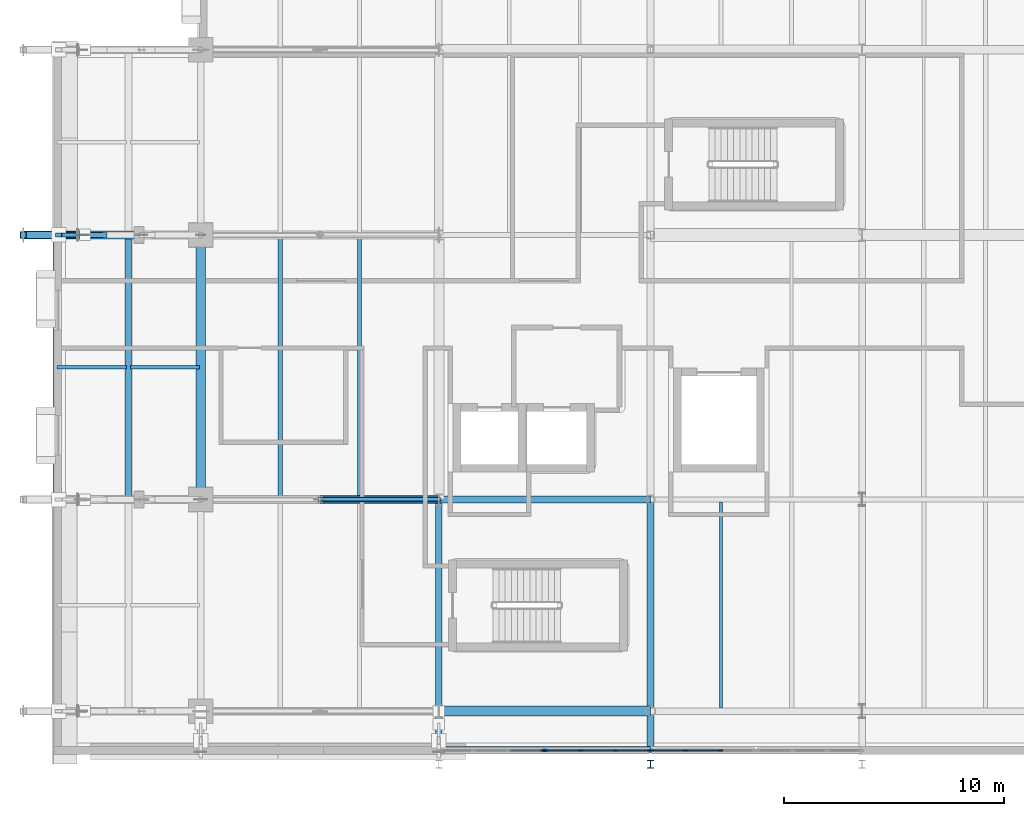
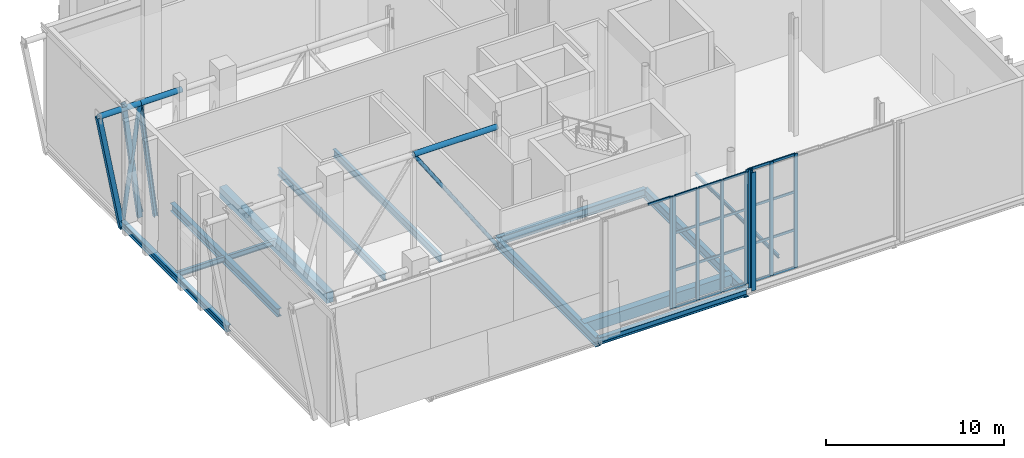
# One storey, part 19 of 79: 39 members, 13 beams, 3 elements without a shape of their own.
"""IFC4 building model written with IfcOpenShell, lengths in metres."""

from ifc_helpers import new_model, si_unit, direction, frame, origin, origin_2d, place, context, subcontext, project, spatial, rectangle, hollow_rectangle, hollow_circle, i_section, extrude, material, layer, layer_set, material_profile, profile_set, type_object, element, aggregate, save


model = new_model("IFC4")

# Units and contexts
model_context = context("Model", 3, precision=1e-05, world=origin(), true_north=direction((0.0, 1.0)))
body_context = subcontext(model_context, "Body", "Model", "MODEL_VIEW")
ifc_project = project(units=[si_unit("LENGTHUNIT", "METRE"), si_unit("AREAUNIT", "SQUARE_METRE"), si_unit("VOLUMEUNIT", "CUBIC_METRE"), si_unit("PLANEANGLEUNIT", "RADIAN"), si_unit("MASSUNIT", "GRAM", prefix="KILO")], contexts=[model_context])

# Site, building, storey
site_placement = place(None, origin())
site = spatial("IfcSite", under=ifc_project, at=site_placement, CompositionType="ELEMENT")
building_placement = place(site_placement, origin())
building = spatial("IfcBuilding", under=site, at=building_placement, Name="Zereglee Splitstone Museum", CompositionType="ELEMENT")
storey_placement = place(building_placement, frame((0.0, 0.0, 9.0)))
storey = spatial("IfcBuildingStorey", under=building, at=storey_placement, Name="L02", CompositionType="ELEMENT", Elevation=9.0)

# Members
ifc_material_1 = material(Name="Steel S355J2H", Category="steel")
ifc_material_profile_1 = material_profile(ifc_material_1, hollow_circle(Radius=0.122314453125, WallThickness=0.012451171875, at=origin_2d()), Name="CHS 244.5x12.5")
ifc_profile_set_1 = profile_set([ifc_material_profile_1], Name="Steel S355J2H")
member_type_1 = type_object("IfcMemberType", Name="TB-02", PredefinedType="BRACE", material=ifc_profile_set_1)
member_1_placement = place(storey_placement, frame((20.39990234375, 9.60009765625, -0.89990234375), z_axis=(-0.554700196225, 0.0, 0.832050294338), x_axis=(0.0, -1.0, 0.0)))
element("IfcMember", 1, at=member_1_placement, inside=storey, type_object=member_type_1, Name="Cantilever Truss CT-02 Web Brace L02-5", PredefinedType="BRACE", context=body_context, shape_type="SweptSolid", body=[
    extrude(hollow_circle(Radius=0.122314453125, WallThickness=0.012451171875, at=origin_2d()), origin(), (0.0, 0.0, 1.0), 9.73486328125),
])
ifc_material_profile_2 = material_profile(ifc_material_1, hollow_circle(Radius=0.136474609375, WallThickness=0.012451171875, at=origin_2d()), Name="CHS 273.0x12.5")
ifc_profile_set_2 = profile_set([ifc_material_profile_2], Name="Steel S355J2H")
member_type_2 = type_object("IfcMemberType", Name="TB-01", PredefinedType="BRACE", material=ifc_profile_set_2)
member_2_placement = place(storey_placement, frame((3.050048828125, 21.60009765625, -0.89990234375), z_axis=(0.144560595225, 0.0, 0.989495949617), x_axis=(0.0, 1.0, 0.0)))
element("IfcMember", 2, at=member_2_placement, inside=storey, type_object=member_type_2, Name="Cantilever Truss CT-03 Web Brace L02-1", PredefinedType="BRACE", context=body_context, shape_type="SweptSolid", body=[
    extrude(hollow_circle(Radius=0.136474609375, WallThickness=0.012451171875, at=origin_2d()), origin(), (0.0, 0.0, 1.0), 8.185791015625),
])

# Curtain wall, member
ifc_material_2 = material(Name="Triple-glazed low-E argon glass and bronze-anodised aluminium", Category="aluminium")
ifc_layer_1 = layer(ifc_material_2, 0.219970703125)
ifc_layer_set_1 = layer_set([ifc_layer_1], Name="Triple-glazed low-E argon glass and bronze-anodised aluminium")
curtain_wall_type_1 = type_object("IfcCurtainWallType", Name="CW-0476-768", PredefinedType="USERDEFINED", material=ifc_layer_set_1)
curtain_wall_1_placement = place(storey_placement, origin())
curtain_wall_1 = element("IfcCurtainWall", 3, at=curtain_wall_1_placement, inside=storey, type_object=curtain_wall_type_1, Name="Glazed Curtain Wall CW-0476-768 (L02)", ObjectType="GLAZED CURTAIN WALL", PredefinedType="USERDEFINED")
ifc_material_3 = material(Name="Thermally broken bronze-anodised aluminium", Category="aluminium")
ifc_material_profile_3 = material_profile(ifc_material_3, rectangle(XDim=0.074951171875, YDim=0.219970703125, at=origin_2d()), Name="CW MULL 75x220")
ifc_profile_set_3 = profile_set([ifc_material_profile_3], Name="Thermally broken bronze-anodised aluminium")
member_type_3 = type_object("IfcMemberType", Name="CWM-02", PredefinedType="MULLION", material=ifc_profile_set_3)
member_3_placement = place(storey_placement, frame((25.12255859375, -1.780029296875, 0.0), z_axis=(0.0, 0.0, 1.0), x_axis=(0.0, 1.0, 0.0)))
member_3 = element("IfcMember", 4, at=member_3_placement, type_object=member_type_3, Name="CW-0476-768 mullion 4", PredefinedType="MULLION", context=body_context, shape_type="SweptSolid", body=[
    extrude(rectangle(XDim=0.074951171875, YDim=0.219970703125, at=origin_2d()), origin(), (0.0, 0.0, 1.0), 7.679931640625),
])

# Curtain wall, members
ifc_layer_2 = layer(ifc_material_2, 0.219970703125)
ifc_layer_set_2 = layer_set([ifc_layer_2], Name="Triple-glazed low-E argon glass and bronze-anodised aluminium")
curtain_wall_type_2 = type_object("IfcCurtainWallType", Name="CW-0476-766", PredefinedType="USERDEFINED", material=ifc_layer_set_2)
curtain_wall_2_placement = place(storey_placement, origin())
curtain_wall_2 = element("IfcCurtainWall", 5, at=curtain_wall_2_placement, inside=storey, type_object=curtain_wall_type_2, Name="Glazed Curtain Wall CW-0476-766 (L02)", ObjectType="GLAZED CURTAIN WALL", PredefinedType="USERDEFINED")
member_4_placement = place(storey_placement, frame((25.277587890625, -1.780029296875, 0.0), z_axis=(0.0, 0.0, 1.0), x_axis=(0.0, 1.0, 0.0)))
member_4 = element("IfcMember", 6, at=member_4_placement, type_object=member_type_3, Name="CW-0476-766 mullion 1", PredefinedType="MULLION", context=body_context, shape_type="SweptSolid", body=[
    extrude(rectangle(XDim=0.074951171875, YDim=0.219970703125, at=origin_2d()), origin(), (0.0, 0.0, 1.0), 7.659912109375),
])
member_5_placement = place(storey_placement, frame((26.82666015625, -1.780029296875, 0.0), z_axis=(0.0, 0.0, 1.0), x_axis=(0.0, 1.0, 0.0)))
member_5 = element("IfcMember", 7, at=member_5_placement, type_object=member_type_3, Name="CW-0476-766 mullion 2", PredefinedType="MULLION", context=body_context, shape_type="SweptSolid", body=[
    extrude(rectangle(XDim=0.074951171875, YDim=0.219970703125, at=origin_2d()), origin(), (0.0, 0.0, 1.0), 7.659912109375),
])
member_6_placement = place(storey_placement, frame((28.413330078125, -1.780029296875, 0.0), z_axis=(0.0, 0.0, 1.0), x_axis=(0.0, 1.0, 0.0)))
member_6 = element("IfcMember", 8, at=member_6_placement, type_object=member_type_3, Name="CW-0476-766 mullion 3", PredefinedType="MULLION", context=body_context, shape_type="SweptSolid", body=[
    extrude(rectangle(XDim=0.074951171875, YDim=0.219970703125, at=origin_2d()), origin(), (0.0, 0.0, 1.0), 7.659912109375),
])
member_7_placement = place(storey_placement, frame((29.96240234375, -1.780029296875, 0.0), z_axis=(0.0, 0.0, 1.0), x_axis=(0.0, 1.0, 0.0)))
member_7 = element("IfcMember", 9, at=member_7_placement, type_object=member_type_3, Name="CW-0476-766 mullion 4", PredefinedType="MULLION", context=body_context, shape_type="SweptSolid", body=[
    extrude(rectangle(XDim=0.074951171875, YDim=0.219970703125, at=origin_2d()), origin(), (0.0, 0.0, 1.0), 7.659912109375),
])

ifc_layer_3 = layer(ifc_material_2, 0.219970703125)
ifc_layer_set_3 = layer_set([ifc_layer_3], Name="Triple-glazed low-E argon glass and bronze-anodised aluminium")
curtain_wall_type_3 = type_object("IfcCurtainWallType", Name="CW-0476-780", PredefinedType="USERDEFINED", material=ifc_layer_set_3)
curtain_wall_3_placement = place(storey_placement, origin())
curtain_wall_3 = element("IfcCurtainWall", 10, at=curtain_wall_3_placement, inside=storey, type_object=curtain_wall_type_3, Name="Glazed Curtain Wall CW-0476-780 (L02)", ObjectType="GLAZED CURTAIN WALL", PredefinedType="USERDEFINED")
member_8_placement = place(storey_placement, frame((30.03759765625, -1.780029296875, 0.0), z_axis=(0.0, 0.0, 1.0), x_axis=(0.0, 1.0, 0.0)))
member_8 = element("IfcMember", 11, at=member_8_placement, type_object=member_type_3, Name="CW-0476-780 mullion 1", PredefinedType="MULLION", context=body_context, shape_type="SweptSolid", body=[
    extrude(rectangle(XDim=0.074951171875, YDim=0.219970703125, at=origin_2d()), origin(), (0.0, 0.0, 1.0), 7.800048828125),
])
member_9_placement = place(storey_placement, frame((31.586669921875, -1.780029296875, 0.0), z_axis=(0.0, 0.0, 1.0), x_axis=(0.0, 1.0, 0.0)))
member_9 = element("IfcMember", 12, at=member_9_placement, type_object=member_type_3, Name="CW-0476-780 mullion 2", PredefinedType="MULLION", context=body_context, shape_type="SweptSolid", body=[
    extrude(rectangle(XDim=0.074951171875, YDim=0.219970703125, at=origin_2d()), origin(), (0.0, 0.0, 1.0), 7.800048828125),
])
member_10_placement = place(storey_placement, frame((33.17333984375, -1.780029296875, 0.0), z_axis=(0.0, 0.0, 1.0), x_axis=(0.0, 1.0, 0.0)))
member_10 = element("IfcMember", 13, at=member_10_placement, type_object=member_type_3, Name="CW-0476-780 mullion 3", PredefinedType="MULLION", context=body_context, shape_type="SweptSolid", body=[
    extrude(rectangle(XDim=0.074951171875, YDim=0.219970703125, at=origin_2d()), origin(), (0.0, 0.0, 1.0), 7.800048828125),
])

# Member
ifc_material_profile_4 = material_profile(ifc_material_3, rectangle(XDim=0.074951171875, YDim=0.1650390625, at=origin_2d()), Name="CW TRAN 75x165")
ifc_profile_set_4 = profile_set([ifc_material_profile_4], Name="Thermally broken bronze-anodised aluminium")
member_type_4 = type_object("IfcMemberType", Name="CWT-02", PredefinedType="USERDEFINED", material=ifc_profile_set_4)
member_11_placement = place(storey_placement, frame((23.61083984375, -1.780029296875, 7.642578125), z_axis=(1.0, 0.0, 0.0), x_axis=(0.0, 1.0, 0.0)))
member_11 = element("IfcMember", 14, at=member_11_placement, type_object=member_type_4, Name="CW-0476-768 transom 3.4", ObjectType="TRANSOM", PredefinedType="USERDEFINED", context=body_context, shape_type="SweptSolid", body=[
    extrude(rectangle(XDim=0.074951171875, YDim=0.1650390625, at=origin_2d()), origin(), (0.0, 0.0, 1.0), 1.47412109375),
])

aggregate(curtain_wall_1, [member_3, member_11])

member_12_placement = place(storey_placement, frame((25.31494140625, -1.780029296875, 0.03759765625), z_axis=(1.0, 0.0, 0.0), x_axis=(0.0, 1.0, 0.0)))
member_12 = element("IfcMember", 15, at=member_12_placement, type_object=member_type_4, Name="CW-0476-766 transom 1.1", ObjectType="TRANSOM", PredefinedType="USERDEFINED", context=body_context, shape_type="SweptSolid", body=[
    extrude(rectangle(XDim=0.074951171875, YDim=0.1650390625, at=origin_2d()), origin(), (0.0, 0.0, 1.0), 1.47412109375),
])

member_13_placement = place(storey_placement, frame((25.31494140625, -1.780029296875, 2.55322265625), z_axis=(1.0, 0.0, 0.0), x_axis=(0.0, 1.0, 0.0)))
member_13 = element("IfcMember", 16, at=member_13_placement, type_object=member_type_4, Name="CW-0476-766 transom 1.2", ObjectType="TRANSOM", PredefinedType="USERDEFINED", context=body_context, shape_type="SweptSolid", body=[
    extrude(rectangle(XDim=0.074951171875, YDim=0.1650390625, at=origin_2d()), origin(), (0.0, 0.0, 1.0), 1.47412109375),
])

member_14_placement = place(storey_placement, frame((25.31494140625, -1.780029296875, 5.106689453125), z_axis=(1.0, 0.0, 0.0), x_axis=(0.0, 1.0, 0.0)))
member_14 = element("IfcMember", 17, at=member_14_placement, type_object=member_type_4, Name="CW-0476-766 transom 1.3", ObjectType="TRANSOM", PredefinedType="USERDEFINED", context=body_context, shape_type="SweptSolid", body=[
    extrude(rectangle(XDim=0.074951171875, YDim=0.1650390625, at=origin_2d()), origin(), (0.0, 0.0, 1.0), 1.47412109375),
])

member_15_placement = place(storey_placement, frame((25.31494140625, -1.780029296875, 7.62255859375), z_axis=(1.0, 0.0, 0.0), x_axis=(0.0, 1.0, 0.0)))
member_15 = element("IfcMember", 18, at=member_15_placement, type_object=member_type_4, Name="CW-0476-766 transom 1.4", ObjectType="TRANSOM", PredefinedType="USERDEFINED", context=body_context, shape_type="SweptSolid", body=[
    extrude(rectangle(XDim=0.074951171875, YDim=0.1650390625, at=origin_2d()), origin(), (0.0, 0.0, 1.0), 1.47412109375),
])

member_16_placement = place(storey_placement, frame((26.8642578125, -1.780029296875, 0.03759765625), z_axis=(1.0, 0.0, 0.0), x_axis=(0.0, 1.0, 0.0)))
member_16 = element("IfcMember", 19, at=member_16_placement, type_object=member_type_4, Name="CW-0476-766 transom 2.1", ObjectType="TRANSOM", PredefinedType="USERDEFINED", context=body_context, shape_type="SweptSolid", body=[
    extrude(rectangle(XDim=0.074951171875, YDim=0.1650390625, at=origin_2d()), origin(), (0.0, 0.0, 1.0), 1.511474609375),
])

member_17_placement = place(storey_placement, frame((26.8642578125, -1.780029296875, 2.55322265625), z_axis=(1.0, 0.0, 0.0), x_axis=(0.0, 1.0, 0.0)))
member_17 = element("IfcMember", 20, at=member_17_placement, type_object=member_type_4, Name="CW-0476-766 transom 2.2", ObjectType="TRANSOM", PredefinedType="USERDEFINED", context=body_context, shape_type="SweptSolid", body=[
    extrude(rectangle(XDim=0.074951171875, YDim=0.1650390625, at=origin_2d()), origin(), (0.0, 0.0, 1.0), 1.511474609375),
])

member_18_placement = place(storey_placement, frame((26.8642578125, -1.780029296875, 5.106689453125), z_axis=(1.0, 0.0, 0.0), x_axis=(0.0, 1.0, 0.0)))
member_18 = element("IfcMember", 21, at=member_18_placement, type_object=member_type_4, Name="CW-0476-766 transom 2.3", ObjectType="TRANSOM", PredefinedType="USERDEFINED", context=body_context, shape_type="SweptSolid", body=[
    extrude(rectangle(XDim=0.074951171875, YDim=0.1650390625, at=origin_2d()), origin(), (0.0, 0.0, 1.0), 1.511474609375),
])

member_19_placement = place(storey_placement, frame((26.8642578125, -1.780029296875, 7.62255859375), z_axis=(1.0, 0.0, 0.0), x_axis=(0.0, 1.0, 0.0)))
member_19 = element("IfcMember", 22, at=member_19_placement, type_object=member_type_4, Name="CW-0476-766 transom 2.4", ObjectType="TRANSOM", PredefinedType="USERDEFINED", context=body_context, shape_type="SweptSolid", body=[
    extrude(rectangle(XDim=0.074951171875, YDim=0.1650390625, at=origin_2d()), origin(), (0.0, 0.0, 1.0), 1.511474609375),
])

member_20_placement = place(storey_placement, frame((28.450927734375, -1.780029296875, 0.03759765625), z_axis=(1.0, 0.0, 0.0), x_axis=(0.0, 1.0, 0.0)))
member_20 = element("IfcMember", 23, at=member_20_placement, type_object=member_type_4, Name="CW-0476-766 transom 3.1", ObjectType="TRANSOM", PredefinedType="USERDEFINED", context=body_context, shape_type="SweptSolid", body=[
    extrude(rectangle(XDim=0.074951171875, YDim=0.1650390625, at=origin_2d()), origin(), (0.0, 0.0, 1.0), 1.47412109375),
])

member_21_placement = place(storey_placement, frame((28.450927734375, -1.780029296875, 2.55322265625), z_axis=(1.0, 0.0, 0.0), x_axis=(0.0, 1.0, 0.0)))
member_21 = element("IfcMember", 24, at=member_21_placement, type_object=member_type_4, Name="CW-0476-766 transom 3.2", ObjectType="TRANSOM", PredefinedType="USERDEFINED", context=body_context, shape_type="SweptSolid", body=[
    extrude(rectangle(XDim=0.074951171875, YDim=0.1650390625, at=origin_2d()), origin(), (0.0, 0.0, 1.0), 1.47412109375),
])

member_22_placement = place(storey_placement, frame((28.450927734375, -1.780029296875, 5.106689453125), z_axis=(1.0, 0.0, 0.0), x_axis=(0.0, 1.0, 0.0)))
member_22 = element("IfcMember", 25, at=member_22_placement, type_object=member_type_4, Name="CW-0476-766 transom 3.3", ObjectType="TRANSOM", PredefinedType="USERDEFINED", context=body_context, shape_type="SweptSolid", body=[
    extrude(rectangle(XDim=0.074951171875, YDim=0.1650390625, at=origin_2d()), origin(), (0.0, 0.0, 1.0), 1.47412109375),
])

member_23_placement = place(storey_placement, frame((28.450927734375, -1.780029296875, 7.62255859375), z_axis=(1.0, 0.0, 0.0), x_axis=(0.0, 1.0, 0.0)))
member_23 = element("IfcMember", 26, at=member_23_placement, type_object=member_type_4, Name="CW-0476-766 transom 3.4", ObjectType="TRANSOM", PredefinedType="USERDEFINED", context=body_context, shape_type="SweptSolid", body=[
    extrude(rectangle(XDim=0.074951171875, YDim=0.1650390625, at=origin_2d()), origin(), (0.0, 0.0, 1.0), 1.47412109375),
])

aggregate(curtain_wall_2, [member_4, member_5, member_6, member_7, member_12, member_13, member_14, member_15, member_16, member_17, member_18, member_19, member_20, member_21, member_22, member_23])

member_24_placement = place(storey_placement, frame((30.074951171875, -1.780029296875, 0.03759765625), z_axis=(1.0, 0.0, 0.0), x_axis=(0.0, 1.0, 0.0)))
member_24 = element("IfcMember", 27, at=member_24_placement, type_object=member_type_4, Name="CW-0476-780 transom 1.1", ObjectType="TRANSOM", PredefinedType="USERDEFINED", context=body_context, shape_type="SweptSolid", body=[
    extrude(rectangle(XDim=0.074951171875, YDim=0.1650390625, at=origin_2d()), origin(), (0.0, 0.0, 1.0), 1.47412109375),
])

member_25_placement = place(storey_placement, frame((30.074951171875, -1.780029296875, 2.60009765625), z_axis=(1.0, 0.0, 0.0), x_axis=(0.0, 1.0, 0.0)))
member_25 = element("IfcMember", 28, at=member_25_placement, type_object=member_type_4, Name="CW-0476-780 transom 1.2", ObjectType="TRANSOM", PredefinedType="USERDEFINED", context=body_context, shape_type="SweptSolid", body=[
    extrude(rectangle(XDim=0.074951171875, YDim=0.1650390625, at=origin_2d()), origin(), (0.0, 0.0, 1.0), 1.47412109375),
])

member_26_placement = place(storey_placement, frame((30.074951171875, -1.780029296875, 5.199951171875), z_axis=(1.0, 0.0, 0.0), x_axis=(0.0, 1.0, 0.0)))
member_26 = element("IfcMember", 29, at=member_26_placement, type_object=member_type_4, Name="CW-0476-780 transom 1.3", ObjectType="TRANSOM", PredefinedType="USERDEFINED", context=body_context, shape_type="SweptSolid", body=[
    extrude(rectangle(XDim=0.074951171875, YDim=0.1650390625, at=origin_2d()), origin(), (0.0, 0.0, 1.0), 1.47412109375),
])

member_27_placement = place(storey_placement, frame((30.074951171875, -1.780029296875, 7.762451171875), z_axis=(1.0, 0.0, 0.0), x_axis=(0.0, 1.0, 0.0)))
member_27 = element("IfcMember", 30, at=member_27_placement, type_object=member_type_4, Name="CW-0476-780 transom 1.4", ObjectType="TRANSOM", PredefinedType="USERDEFINED", context=body_context, shape_type="SweptSolid", body=[
    extrude(rectangle(XDim=0.074951171875, YDim=0.1650390625, at=origin_2d()), origin(), (0.0, 0.0, 1.0), 1.47412109375),
])

member_28_placement = place(storey_placement, frame((31.624267578125, -1.780029296875, 0.03759765625), z_axis=(1.0, 0.0, 0.0), x_axis=(0.0, 1.0, 0.0)))
member_28 = element("IfcMember", 31, at=member_28_placement, type_object=member_type_4, Name="CW-0476-780 transom 2.1", ObjectType="TRANSOM", PredefinedType="USERDEFINED", context=body_context, shape_type="SweptSolid", body=[
    extrude(rectangle(XDim=0.074951171875, YDim=0.1650390625, at=origin_2d()), origin(), (0.0, 0.0, 1.0), 1.511474609375),
])

member_29_placement = place(storey_placement, frame((31.624267578125, -1.780029296875, 2.60009765625), z_axis=(1.0, 0.0, 0.0), x_axis=(0.0, 1.0, 0.0)))
member_29 = element("IfcMember", 32, at=member_29_placement, type_object=member_type_4, Name="CW-0476-780 transom 2.2", ObjectType="TRANSOM", PredefinedType="USERDEFINED", context=body_context, shape_type="SweptSolid", body=[
    extrude(rectangle(XDim=0.074951171875, YDim=0.1650390625, at=origin_2d()), origin(), (0.0, 0.0, 1.0), 1.511474609375),
])

member_30_placement = place(storey_placement, frame((31.624267578125, -1.780029296875, 5.199951171875), z_axis=(1.0, 0.0, 0.0), x_axis=(0.0, 1.0, 0.0)))
member_30 = element("IfcMember", 33, at=member_30_placement, type_object=member_type_4, Name="CW-0476-780 transom 2.3", ObjectType="TRANSOM", PredefinedType="USERDEFINED", context=body_context, shape_type="SweptSolid", body=[
    extrude(rectangle(XDim=0.074951171875, YDim=0.1650390625, at=origin_2d()), origin(), (0.0, 0.0, 1.0), 1.511474609375),
])

member_31_placement = place(storey_placement, frame((31.624267578125, -1.780029296875, 7.762451171875), z_axis=(1.0, 0.0, 0.0), x_axis=(0.0, 1.0, 0.0)))
member_31 = element("IfcMember", 34, at=member_31_placement, type_object=member_type_4, Name="CW-0476-780 transom 2.4", ObjectType="TRANSOM", PredefinedType="USERDEFINED", context=body_context, shape_type="SweptSolid", body=[
    extrude(rectangle(XDim=0.074951171875, YDim=0.1650390625, at=origin_2d()), origin(), (0.0, 0.0, 1.0), 1.511474609375),
])

aggregate(curtain_wall_3, [member_8, member_9, member_10, member_24, member_25, member_26, member_27, member_28, member_29, member_30, member_31])

# Members
ifc_material_profile_5 = material_profile(ifc_material_1, hollow_circle(Radius=0.177734375, WallThickness=0.01611328125, at=origin_2d()), Name="CHS 355.6x16")
ifc_profile_set_5 = profile_set([ifc_material_profile_5], Name="Steel S355J2H")
member_type_5 = type_object("IfcMemberType", Name="TC-04", PredefinedType="CHORD", material=ifc_profile_set_5)
member_32_placement = place(storey_placement, frame((15.0, 9.60009765625, 7.199951171875), z_axis=(1.0, 0.0, 0.0), x_axis=(0.0, 1.0, 0.0)))
element("IfcMember", 35, at=member_32_placement, inside=storey, type_object=member_type_5, Name="Cantilever Truss CT-02 Top Chord L02-5", PredefinedType="CHORD", context=body_context, shape_type="SweptSolid", body=[
    extrude(hollow_circle(Radius=0.177734375, WallThickness=0.01611328125, at=origin_2d()), origin(), (0.0, 0.0, 1.0), 5.39990234375),
])
for number, where, z_axis, x_axis, name in (
    (36, (1.550048828125, 21.60009765625, 7.199951171875), (1.0, 0.0, 0.0), (0.0, 1.0, 0.0), "Cantilever Truss CT-03 Top Chord L02-1"),
    (37, (4.2333984375, 21.60009765625, 7.199951171875), (1.0, 0.0, 0.0), (0.0, 1.0, 0.0), "Cantilever Truss CT-03 Top Chord L02-2"),
):
    element("IfcMember", number, at=place(storey_placement, frame(where, z_axis=z_axis, x_axis=x_axis)), inside=storey, type_object=member_type_5, Name=name, PredefinedType="CHORD", context=body_context, shape_type="SweptSolid", body=[
        extrude(hollow_circle(Radius=0.177734375, WallThickness=0.01611328125, at=origin_2d()), origin(), (0.0, 0.0, 1.0), 2.683349609375),
    ])
ifc_material_4 = material(Name="Steel S355J2", Category="steel")
ifc_material_profile_6 = material_profile(ifc_material_4, i_section(OverallWidth=0.300048828125, OverallDepth=0.360107421875, WebThickness=0.012451171875, FlangeThickness=0.0224609375, FilletRadius=0.027099609375, at=origin_2d()), Name="HE 360 B")
ifc_profile_set_6 = profile_set([ifc_material_profile_6], Name="Steel S355J2")
member_type_6 = type_object("IfcMemberType", Name="TC-06", PredefinedType="CHORD", material=ifc_profile_set_6)
member_33_placement = place(storey_placement, frame((30.0, -2.39990234375, 0.0), z_axis=(0.0, 0.0, 1.0), x_axis=(1.0, 0.0, 0.0)))
element("IfcMember", 38, at=member_33_placement, inside=storey, type_object=member_type_6, Name="Mughal Guldasta Hovering Portal Pier G03M L02", PredefinedType="CHORD", context=body_context, shape_type="SweptSolid", body=[
    extrude(i_section(OverallWidth=0.300048828125, OverallDepth=0.360107421875, WebThickness=0.012451171875, FlangeThickness=0.0224609375, FilletRadius=0.027099609375, at=origin_2d()), origin(), (0.0, 0.0, 1.0), 8.10009765625),
])

# Beams
ifc_material_profile_7 = material_profile(ifc_material_4, i_section(OverallWidth=0.300048828125, OverallDepth=0.550048828125, WebThickness=0.014892578125, FlangeThickness=0.029052734375, FilletRadius=0.027099609375, at=origin_2d()), Name="HE 550 B")
ifc_profile_set_7 = profile_set([ifc_material_profile_7], Name="Steel S355J2")
beam_type_1 = type_object("IfcBeamType", Name="BG-11", PredefinedType="BEAM", material=ifc_profile_set_7)
beam_1_placement = place(storey_placement, frame((20.39990234375, 9.60009765625, -0.594970703125), z_axis=(1.0, 0.0, 0.0), x_axis=(0.0, 1.0, 0.0)))
element("IfcBeam", 39, at=beam_1_placement, inside=storey, type_object=beam_type_1, Name="Primary Girder L02 B (20.4-30.0)", PredefinedType="BEAM", context=body_context, shape_type="SweptSolid", body=[
    extrude(i_section(OverallWidth=0.300048828125, OverallDepth=0.550048828125, WebThickness=0.014892578125, FlangeThickness=0.029052734375, FilletRadius=0.027099609375, at=origin_2d()), origin(), (0.0, 0.0, 1.0), 9.60009765625),
])
beam_2_placement = place(storey_placement, frame((6.324951171875, 9.60009765625, -0.594970703125), z_axis=(0.0, 1.0, 0.0), x_axis=(-1.0, 0.0, 0.0)))
element("IfcBeam", 40, at=beam_2_placement, inside=storey, type_object=beam_type_1, Name="Cantilever Transverse Girder L02 X=6.33", PredefinedType="BEAM", context=body_context, shape_type="SweptSolid", body=[
    extrude(i_section(OverallWidth=0.300048828125, OverallDepth=0.550048828125, WebThickness=0.014892578125, FlangeThickness=0.029052734375, FilletRadius=0.027099609375, at=origin_2d()), origin(), (0.0, 0.0, 1.0), 12.0),
])
ifc_material_profile_8 = material_profile(ifc_material_4, i_section(OverallWidth=0.300048828125, OverallDepth=0.64990234375, WebThickness=0.01611328125, FlangeThickness=0.031005859375, FilletRadius=0.027099609375, at=origin_2d()), Name="HE 650 B")
ifc_profile_set_8 = profile_set([ifc_material_profile_8], Name="Steel S355J2")
beam_type_2 = type_object("IfcBeamType", Name="BG-09", PredefinedType="BEAM", material=ifc_profile_set_8)
for number, where, z_axis, x_axis, name in (
    (41, (20.39990234375, -1.75, -0.64501953125), (0.0, 1.0, 0.0), (-1.0, 0.0, 0.0), "Primary Girder L02 4 (-1.8-9.6)"),
    (42, (30.0, -1.75, -0.64501953125), (0.0, 1.0, 0.0), (-1.0, 0.0, 0.0), "Primary Girder L02 5 (-1.8-9.6)"),
):
    element("IfcBeam", number, at=place(storey_placement, frame(where, z_axis=z_axis, x_axis=x_axis)), inside=storey, type_object=beam_type_2, Name=name, PredefinedType="BEAM", context=body_context, shape_type="SweptSolid", body=[
        extrude(i_section(OverallWidth=0.300048828125, OverallDepth=0.64990234375, WebThickness=0.01611328125, FlangeThickness=0.031005859375, FilletRadius=0.027099609375, at=origin_2d()), origin(), (0.0, 0.0, 1.0), 11.35009765625),
    ])
ifc_material_profile_9 = material_profile(ifc_material_4, i_section(OverallWidth=0.1201171875, OverallDepth=0.239990234375, WebThickness=0.006103515625, FlangeThickness=0.009765625, FilletRadius=0.014892578125, at=origin_2d()), Name="IPE 240")
ifc_profile_set_9 = profile_set([ifc_material_profile_9], Name="Steel S355J2")
beam_type_3 = type_object("IfcBeamType", Name="BJ-07", PredefinedType="JOIST", material=ifc_profile_set_9)
beam_3_placement = place(storey_placement, frame((33.199951171875, 0.14990234375, -0.43994140625), z_axis=(0.0, 1.0, 0.0), x_axis=(-1.0, 0.0, 0.0)))
element("IfcBeam", 43, at=beam_3_placement, inside=storey, type_object=beam_type_3, Name="Secondary Floor Joist L02-1035", PredefinedType="JOIST", context=body_context, shape_type="SweptSolid", body=[
    extrude(i_section(OverallWidth=0.1201171875, OverallDepth=0.239990234375, WebThickness=0.006103515625, FlangeThickness=0.009765625, FilletRadius=0.014892578125, at=origin_2d()), origin(), (0.0, 0.0, 1.0), 9.34521484375),
])
ifc_material_profile_10 = material_profile(ifc_material_4, i_section(OverallWidth=0.169921875, OverallDepth=0.360107421875, WebThickness=0.008056640625, FlangeThickness=0.0126953125, FilletRadius=0.01806640625, at=origin_2d()), Name="IPE 360")
ifc_profile_set_10 = profile_set([ifc_material_profile_10], Name="Steel S355J2")
beam_type_4 = type_object("IfcBeamType", Name="BJ-04", PredefinedType="JOIST", material=ifc_profile_set_10)
beam_4_placement = place(storey_placement, frame((3.090087890625, 15.60009765625, -0.5), z_axis=(1.0, 0.0, 0.0), x_axis=(0.0, 1.0, 0.0)))
element("IfcBeam", 44, at=beam_4_placement, inside=storey, type_object=beam_type_4, Name="Cantilever Floor Joist L02-1614", PredefinedType="JOIST", context=body_context, shape_type="SweptSolid", body=[
    extrude(i_section(OverallWidth=0.169921875, OverallDepth=0.360107421875, WebThickness=0.008056640625, FlangeThickness=0.0126953125, FilletRadius=0.01806640625, at=origin_2d()), origin(), (0.0, 0.0, 1.0), 3.135009765625),
])
beam_5_placement = place(storey_placement, frame((6.425048828125, 15.60009765625, -0.5), z_axis=(1.0, 0.0, 0.0), x_axis=(0.0, 1.0, 0.0)))
element("IfcBeam", 45, at=beam_5_placement, inside=storey, type_object=beam_type_4, Name="Cantilever Floor Joist L02-1615", PredefinedType="JOIST", context=body_context, shape_type="SweptSolid", body=[
    extrude(i_section(OverallWidth=0.169921875, OverallDepth=0.360107421875, WebThickness=0.008056640625, FlangeThickness=0.0126953125, FilletRadius=0.01806640625, at=origin_2d()), origin(), (0.0, 0.0, 1.0), 3.125),
])
ifc_material_profile_11 = material_profile(ifc_material_4, i_section(OverallWidth=0.199951171875, OverallDepth=0.5, WebThickness=0.01025390625, FlangeThickness=0.01611328125, FilletRadius=0.02099609375, at=origin_2d()), Name="IPE 500")
ifc_profile_set_11 = profile_set([ifc_material_profile_11], Name="Steel S355J2")
beam_type_5 = type_object("IfcBeamType", Name="BJ-01", PredefinedType="JOIST", material=ifc_profile_set_11)
for number, where, z_axis, x_axis, name in (
    (46, (13.199951171875, 9.60009765625, -0.570068359375), (0.0, 1.0, 0.0), (-1.0, 0.0, 0.0), "Secondary Floor Joist L02-1047"),
    (47, (16.800048828125, 9.60009765625, -0.570068359375), (0.0, 1.0, 0.0), (-1.0, 0.0, 0.0), "Secondary Floor Joist L02-1048"),
):
    element("IfcBeam", number, at=place(storey_placement, frame(where, z_axis=z_axis, x_axis=x_axis)), inside=storey, type_object=beam_type_5, Name=name, PredefinedType="JOIST", context=body_context, shape_type="SweptSolid", body=[
        extrude(i_section(OverallWidth=0.199951171875, OverallDepth=0.5, WebThickness=0.01025390625, FlangeThickness=0.01611328125, FilletRadius=0.02099609375, at=origin_2d()), origin(), (0.0, 0.0, 1.0), 12.0),
    ])

# Members
ifc_material_profile_12 = material_profile(ifc_material_4, i_section(OverallWidth=0.239990234375, OverallDepth=0.239990234375, WebThickness=0.010009765625, FlangeThickness=0.01708984375, FilletRadius=0.02099609375, at=origin_2d()), Name="HE 240 B")
ifc_profile_set_12 = profile_set([ifc_material_profile_12], Name="Steel S355J2")
member_type_7 = type_object("IfcMemberType", Name="TP-02", PredefinedType="POST", material=ifc_profile_set_12)
member_34_placement = place(storey_placement, frame((5.2333984375, 21.60009765625, -0.89990234375), z_axis=(-0.122528754606, 0.0, 0.992464963762), x_axis=(0.0, -1.0, 0.0)))
element("IfcMember", 48, at=member_34_placement, inside=storey, type_object=member_type_7, Name="Cantilever Truss CT-03 Post L02-2", PredefinedType="POST", context=body_context, shape_type="SweptSolid", body=[
    extrude(i_section(OverallWidth=0.239990234375, OverallDepth=0.239990234375, WebThickness=0.010009765625, FlangeThickness=0.01708984375, FilletRadius=0.02099609375, at=origin_2d()), origin(), (0.0, 0.0, 1.0), 8.161376953125),
])
ifc_material_profile_13 = material_profile(ifc_material_1, hollow_rectangle(XDim=0.300048828125, YDim=0.300048828125, WallThickness=0.01611328125, at=origin_2d()), Name="SHS 300x300x16")
ifc_profile_set_13 = profile_set([ifc_material_profile_13], Name="Steel S355J2H")
member_type_8 = type_object("IfcMemberType", Name="TP-01", PredefinedType="POST", material=ifc_profile_set_13)
member_35_placement = place(storey_placement, frame((3.050048828125, 21.60009765625, -0.89990234375), z_axis=(-0.182092444044, 0.0, 0.983281415375), x_axis=(0.0, -1.0, 0.0)))
element("IfcMember", 49, at=member_35_placement, inside=storey, type_object=member_type_8, Name="Cantilever Truss CT-03 Post L02-1", PredefinedType="POST", context=body_context, shape_type="SweptSolid", body=[
    extrude(hollow_rectangle(XDim=0.300048828125, YDim=0.300048828125, WallThickness=0.01611328125, at=origin_2d()), origin(), (0.0, 0.0, 1.0), 8.237548828125),
])

# Beams
ifc_material_profile_14 = material_profile(ifc_material_4, i_section(OverallWidth=0.300048828125, OverallDepth=0.449951171875, WebThickness=0.013916015625, FlangeThickness=0.02587890625, FilletRadius=0.027099609375, at=origin_2d()), Name="HE 450 B")
ifc_profile_set_14 = profile_set([ifc_material_profile_14], Name="Steel S355J2")
beam_type_6 = type_object("IfcBeamType", Name="SP-02", PredefinedType="SPANDREL", material=ifc_profile_set_14)
beam_6_placement = place(storey_placement, frame((20.39990234375, -1.75, -0.544921875), z_axis=(1.0, 0.0, 0.0), x_axis=(0.0, 1.0, 0.0)))
element("IfcBeam", 50, at=beam_6_placement, inside=storey, type_object=beam_type_6, Name="Hovering Soffit Spandrel L02 (20.4-30.0)", PredefinedType="SPANDREL", context=body_context, shape_type="SweptSolid", body=[
    extrude(i_section(OverallWidth=0.300048828125, OverallDepth=0.449951171875, WebThickness=0.013916015625, FlangeThickness=0.02587890625, FilletRadius=0.027099609375, at=origin_2d()), origin(), (0.0, 0.0, 1.0), 9.60009765625),
])
beam_7_placement = place(storey_placement, frame((3.050048828125, 9.60009765625, -0.544921875), z_axis=(0.0, 1.0, 0.0), x_axis=(-1.0, 0.0, 0.0)))
element("IfcBeam", 51, at=beam_7_placement, inside=storey, type_object=beam_type_6, Name="Cantilever Transverse Girder L02 X=3.05", PredefinedType="SPANDREL", context=body_context, shape_type="SweptSolid", body=[
    extrude(i_section(OverallWidth=0.300048828125, OverallDepth=0.449951171875, WebThickness=0.013916015625, FlangeThickness=0.02587890625, FilletRadius=0.027099609375, at=origin_2d()), origin(), (0.0, 0.0, 1.0), 12.0),
])
ifc_material_5 = material(Name="Concrete C40/50", Category="concrete")
ifc_material_profile_15 = material_profile(ifc_material_5, rectangle(XDim=0.449951171875, YDim=0.75, at=origin_2d()), Name="RC 450x750")
ifc_profile_set_15 = profile_set([ifc_material_profile_15], Name="Concrete C40/50")
beam_type_7 = type_object("IfcBeamType", Name="SP-01", PredefinedType="SPANDREL", material=ifc_profile_set_15)
beam_8_placement = place(storey_placement, frame((20.39990234375, 0.0, -0.695068359375), z_axis=(1.0, 0.0, 0.0), x_axis=(0.0, 1.0, 0.0)))
element("IfcBeam", 52, at=beam_8_placement, inside=storey, type_object=beam_type_7, Name="Primary Girder L02 A (20.4-30.0)", PredefinedType="SPANDREL", context=body_context, shape_type="SweptSolid", body=[
    extrude(rectangle(XDim=0.449951171875, YDim=0.75, at=origin_2d()), origin(), (0.0, 0.0, 1.0), 9.60009765625),
])
beam_9_placement = place(storey_placement, frame((9.60009765625, 9.60009765625, -0.695068359375), z_axis=(0.0, 1.0, 0.0), x_axis=(-1.0, 0.0, 0.0)))
element("IfcBeam", 53, at=beam_9_placement, inside=storey, type_object=beam_type_7, Name="Primary Girder L02 2 (9.6-21.6)", PredefinedType="SPANDREL", context=body_context, shape_type="SweptSolid", body=[
    extrude(rectangle(XDim=0.449951171875, YDim=0.75, at=origin_2d()), origin(), (0.0, 0.0, 1.0), 12.0),
])

# Members
ifc_material_profile_16 = material_profile(ifc_material_1, hollow_rectangle(XDim=0.199951171875, YDim=0.300048828125, WallThickness=0.012451171875, at=origin_2d()), Name="RHS 300x200x12.5")
ifc_profile_set_16 = profile_set([ifc_material_profile_16], Name="Steel S355J2H")
member_type_9 = type_object("IfcMemberType", Name="FS-R1", PredefinedType="STRUT", material=ifc_profile_set_16)
member_36_placement = place(storey_placement, frame((4.210693359375, 21.60009765625, -0.570068359375), z_axis=(-0.128375261383, 0.0, 0.991725663813), x_axis=(0.0, -1.0, 0.0)))
element("IfcMember", 54, at=member_36_placement, inside=storey, type_object=member_type_9, Name="Split-Rock Continuous Facet Strut FH-V1W-N L02-01", PredefinedType="STRUT", context=body_context, shape_type="SweptSolid", body=[
    extrude(hollow_rectangle(XDim=0.199951171875, YDim=0.300048828125, WallThickness=0.012451171875, at=origin_2d()), origin(), (0.0, 0.0, 1.0), 8.2080078125),
])
ifc_material_profile_17 = material_profile(ifc_material_1, hollow_rectangle(XDim=0.10009765625, YDim=0.179931640625, WallThickness=0.008056640625, at=origin_2d()), Name="RHS 180x100x8")
ifc_profile_set_17 = profile_set([ifc_material_profile_17], Name="Steel S355J2H")
member_type_10 = type_object("IfcMemberType", Name="FS-T2", PredefinedType="STRUT", material=ifc_profile_set_17)
member_37_placement = place(storey_placement, frame((4.35009765625, 21.60009765625, -0.280029296875), z_axis=(-0.271455353468, 0.0, 0.962451033078), x_axis=(0.0, -1.0, 0.0)))
element("IfcMember", 55, at=member_37_placement, inside=storey, type_object=member_type_10, Name="Facet Tie-Back Strut FH-V1W-N L02-01", PredefinedType="STRUT", context=body_context, shape_type="SweptSolid", body=[
    extrude(hollow_rectangle(XDim=0.10009765625, YDim=0.179931640625, WallThickness=0.008056640625, at=origin_2d()), origin(), (0.0, 0.0, 1.0), 1.205078125),
])

save(model, "model.ifc")
